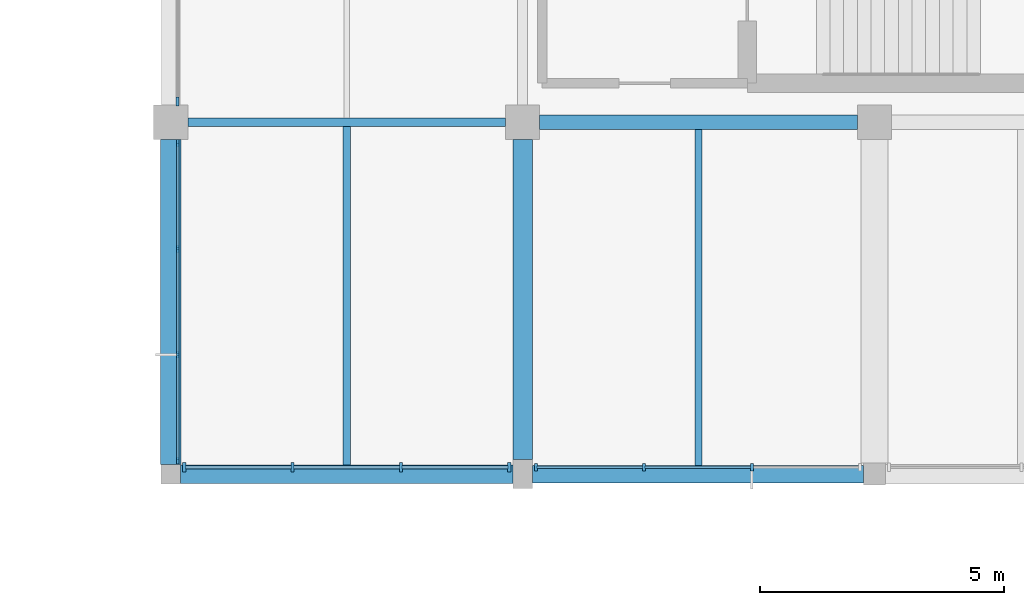
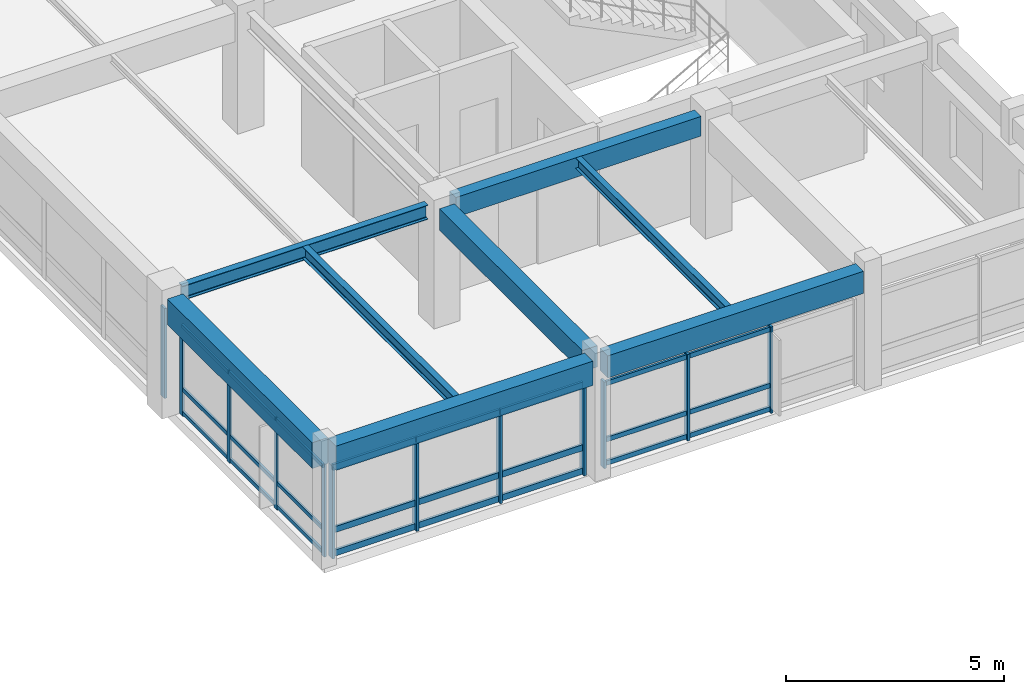
# One storey, part 26 of 52: 36 members, 8 beams, 4 elements without a shape of their own.
"""IFC4 building model written with IfcOpenShell, lengths in metres."""

from ifc_helpers import new_model, si_unit, direction, frame, origin, origin_2d, place, context, subcontext, project, spatial, rectangle, i_section, extrude, material, material_profile, profile_set, type_object, element, aggregate, save


model = new_model("IFC4")

# Units and contexts
model_context = context("Model", 3, precision=1e-05, world=origin(), true_north=direction((0.0, 1.0)))
body_context = subcontext(model_context, "Body", "Model", "MODEL_VIEW")
ifc_project = project(units=[si_unit("LENGTHUNIT", "METRE"), si_unit("AREAUNIT", "SQUARE_METRE"), si_unit("VOLUMEUNIT", "CUBIC_METRE"), si_unit("PLANEANGLEUNIT", "RADIAN"), si_unit("MASSUNIT", "GRAM", prefix="KILO")], contexts=[model_context])

# Site, building, storey
site_placement = place(None, origin())
site = spatial("IfcSite", under=ifc_project, at=site_placement, CompositionType="ELEMENT")
building_placement = place(site_placement, origin())
building = spatial("IfcBuilding", under=site, at=building_placement, Name="Clarverna Civic Hall", CompositionType="ELEMENT")
storey_placement = place(building_placement, frame((0.0, 0.0, 16.800048828125)))
storey = spatial("IfcBuildingStorey", under=building, at=storey_placement, Name="L04", CompositionType="ELEMENT", Elevation=16.800048828125)

# Beams
ifc_material_1 = material(Name="Concrete C35/45", Category="concrete")
ifc_material_profile_1 = material_profile(ifc_material_1, rectangle(XDim=0.300048828125, YDim=0.550048828125, at=origin_2d()), Name="RC 300x550")
ifc_profile_set_1 = profile_set([ifc_material_profile_1], Name="Concrete C35/45")
beam_type_1 = type_object("IfcBeamType", Name="B-RC11", PredefinedType="BEAM", material=ifc_profile_set_1)
beam_1_placement = place(storey_placement, frame((155.14990234375, 78.800048828125, 3.044921875), z_axis=(1.0, 0.0, 0.0), x_axis=(0.0, 1.0, 0.0)))
element("IfcBeam", 1, at=beam_1_placement, inside=storey, type_object=beam_type_1, Name="B-RC11-032", PredefinedType="BEAM", context=body_context, shape_type="SweptSolid", body=[
    extrude(rectangle(XDim=0.300048828125, YDim=0.550048828125, at=origin_2d()), origin(), (0.0, 0.0, 1.0), 6.5),
])
ifc_material_profile_2 = material_profile(ifc_material_1, rectangle(XDim=0.39990234375, YDim=0.60009765625, at=origin_2d()), Name="RC 400x600")
ifc_profile_set_2 = profile_set([ifc_material_profile_2], Name="Concrete C35/45")
beam_type_2 = type_object("IfcBeamType", Name="B-RC7", PredefinedType="BEAM", material=ifc_profile_set_2)
beam_2_placement = place(storey_placement, frame((154.800048828125, 71.89990234375, 3.02001953125), z_axis=(0.0, 1.0, 0.0), x_axis=(-1.0, 0.0, 0.0)))
element("IfcBeam", 2, at=beam_2_placement, inside=storey, type_object=beam_type_2, Name="B-RC7-031", PredefinedType="BEAM", context=body_context, shape_type="SweptSolid", body=[
    extrude(rectangle(XDim=0.39990234375, YDim=0.60009765625, at=origin_2d()), origin(), (0.0, 0.0, 1.0), 6.550048828125),
])
ifc_material_profile_3 = material_profile(ifc_material_1, rectangle(XDim=0.419921875, YDim=0.719970703125, at=origin_2d()), Name="RC 420x720")
ifc_profile_set_3 = profile_set([ifc_material_profile_3], Name="Concrete C35/45")
beam_type_3 = type_object("IfcBeamType", Name="B-SP1", PredefinedType="SPANDREL", material=ifc_profile_set_3)
beam_3_placement = place(storey_placement, frame((147.60009765625, 71.800048828125, 2.9599609375), z_axis=(0.0, 1.0, 0.0), x_axis=(-1.0, 0.0, 0.0)))
element("IfcBeam", 3, at=beam_3_placement, inside=storey, type_object=beam_type_3, Name="B-SP1-141", PredefinedType="SPANDREL", context=body_context, shape_type="SweptSolid", body=[
    extrude(rectangle(XDim=0.419921875, YDim=0.719970703125, at=origin_2d()), origin(), (0.0, 0.0, 1.0), 6.64990234375),
])
ifc_material_profile_4 = material_profile(ifc_material_1, rectangle(XDim=0.3798828125, YDim=0.679931640625, at=origin_2d()), Name="RC 380x680")
ifc_profile_set_4 = profile_set([ifc_material_profile_4], Name="Concrete C35/45")
beam_type_4 = type_object("IfcBeamType", Name="B-SP2", PredefinedType="SPANDREL", material=ifc_profile_set_4)
beam_4_placement = place(storey_placement, frame((147.800048828125, 71.60009765625, 2.97998046875), z_axis=(1.0, 0.0, 0.0), x_axis=(0.0, 1.0, 0.0)))
element("IfcBeam", 4, at=beam_4_placement, inside=storey, type_object=beam_type_4, Name="B-SP2-134", PredefinedType="SPANDREL", context=body_context, shape_type="SweptSolid", body=[
    extrude(rectangle(XDim=0.3798828125, YDim=0.679931640625, at=origin_2d()), origin(), (0.0, 0.0, 1.0), 6.800048828125),
])
ifc_material_profile_5 = material_profile(ifc_material_1, rectangle(XDim=0.360107421875, YDim=0.6201171875, at=origin_2d()), Name="RC 360x620")
ifc_profile_set_5 = profile_set([ifc_material_profile_5], Name="Concrete C35/45")
beam_type_5 = type_object("IfcBeamType", Name="B-SP3", PredefinedType="SPANDREL", material=ifc_profile_set_5)
beam_5_placement = place(storey_placement, frame((155.0, 71.60009765625, 3.010009765625), z_axis=(1.0, 0.0, 0.0), x_axis=(0.0, 1.0, 0.0)))
element("IfcBeam", 5, at=beam_5_placement, inside=storey, type_object=beam_type_5, Name="B-SP3-132", PredefinedType="SPANDREL", context=body_context, shape_type="SweptSolid", body=[
    extrude(rectangle(XDim=0.360107421875, YDim=0.6201171875, at=origin_2d()), origin(), (0.0, 0.0, 1.0), 6.77490234375),
])
ifc_material_2 = material(Name="Steel S355", Category="steel")
ifc_material_profile_6 = material_profile(ifc_material_2, i_section(OverallWidth=0.179931640625, OverallDepth=0.39990234375, WebThickness=0.008544921875, FlangeThickness=0.013427734375, FilletRadius=0.02099609375, at=origin_2d()), Name="IPE 400")
ifc_profile_set_6 = profile_set([ifc_material_profile_6], Name="Steel S355")
beam_type_6 = type_object("IfcBeamType", Name="B-ST14", PredefinedType="BEAM", material=ifc_profile_set_6)
beam_6_placement = place(storey_placement, frame((147.949951171875, 78.800048828125, 3.119873046875), z_axis=(1.0, 0.0, 0.0), x_axis=(0.0, 1.0, 0.0)))
element("IfcBeam", 6, at=beam_6_placement, inside=storey, type_object=beam_type_6, Name="B-ST14-020", PredefinedType="BEAM", context=body_context, shape_type="SweptSolid", body=[
    extrude(i_section(OverallWidth=0.179931640625, OverallDepth=0.39990234375, WebThickness=0.008544921875, FlangeThickness=0.013427734375, FilletRadius=0.02099609375, at=origin_2d()), origin(), (0.0, 0.0, 1.0), 6.5),
])

# Curtain wall, member
ifc_material_3 = material(Name="Anodised Bronze Architectural Aluminium", Category="aluminium")
curtain_wall_type = type_object("IfcCurtainWallType", Name="CW-01", PredefinedType="USERDEFINED", material=ifc_material_3)
curtain_wall_1_placement = place(storey_placement, origin())
curtain_wall_1 = element("IfcCurtainWall", 7, at=curtain_wall_1_placement, inside=storey, type_object=curtain_wall_type, Name="CW-01-095", ObjectType="UNITISED CURTAIN WALL", PredefinedType="USERDEFINED")
ifc_material_profile_7 = material_profile(ifc_material_3, rectangle(XDim=0.06005859375, YDim=0.179931640625, at=origin_2d()), Name="BRONZE 60x180")
ifc_profile_set_7 = profile_set([ifc_material_profile_7], Name="Anodised Bronze Architectural Aluminium")
member_type_1 = type_object("IfcMemberType", Name="CWM-01", PredefinedType="MULLION", material=ifc_profile_set_7)
member_1_placement = place(storey_placement, frame((147.739990234375, 79.222900390625, 0.0), z_axis=(0.0, 0.0, 1.0), x_axis=(1.0, 0.0, 0.0)))
member_1 = element("IfcMember", 8, at=member_1_placement, type_object=member_type_1, Name="CWM-01-170", PredefinedType="MULLION", context=body_context, shape_type="SweptSolid", body=[
    extrude(rectangle(XDim=0.06005859375, YDim=0.179931640625, at=origin_2d()), origin(), (0.0, 0.0, 1.0), 2.52001953125),
])
aggregate(curtain_wall_1, [member_1])

# Curtain wall, members
curtain_wall_2_placement = place(storey_placement, origin())
curtain_wall_2 = element("IfcCurtainWall", 9, at=curtain_wall_2_placement, inside=storey, type_object=curtain_wall_type, Name="CW-01-092", ObjectType="UNITISED CURTAIN WALL", PredefinedType="USERDEFINED")
ifc_material_profile_8 = material_profile(ifc_material_3, rectangle(XDim=0.06005859375, YDim=0.159912109375, at=origin_2d()), Name="BRONZE 60x160")
ifc_profile_set_8 = profile_set([ifc_material_profile_8], Name="Anodised Bronze Architectural Aluminium")
member_type_2 = type_object("IfcMemberType", Name="CWM-02", PredefinedType="MULLION", material=ifc_profile_set_8)
member_2_placement = place(storey_placement, frame((159.4921875, 71.739990234375, 0.0), z_axis=(0.0, 0.0, 1.0), x_axis=(1.0, 0.0, 0.0)))
member_2 = element("IfcMember", 10, at=member_2_placement, type_object=member_type_2, Name="CWM-02-196", PredefinedType="MULLION", context=body_context, shape_type="SweptSolid", body=[
    extrude(rectangle(XDim=0.06005859375, YDim=0.159912109375, at=origin_2d()), origin(), (0.0, 0.0, 1.0), 2.419921875),
])
member_3_placement = place(storey_placement, frame((157.28271484375, 71.739990234375, 0.0), z_axis=(0.0, 0.0, 1.0), x_axis=(1.0, 0.0, 0.0)))
member_3 = element("IfcMember", 11, at=member_3_placement, type_object=member_type_2, Name="CWM-02-197", PredefinedType="MULLION", context=body_context, shape_type="SweptSolid", body=[
    extrude(rectangle(XDim=0.06005859375, YDim=0.159912109375, at=origin_2d()), origin(), (0.0, 0.0, 1.0), 2.419921875),
])
member_4_placement = place(storey_placement, frame((155.072998046875, 71.739990234375, 0.0), z_axis=(0.0, 0.0, 1.0), x_axis=(1.0, 0.0, 0.0)))
member_4 = element("IfcMember", 12, at=member_4_placement, type_object=member_type_2, Name="CWM-02-198", PredefinedType="MULLION", context=body_context, shape_type="SweptSolid", body=[
    extrude(rectangle(XDim=0.06005859375, YDim=0.159912109375, at=origin_2d()), origin(), (0.0, 0.0, 1.0), 2.419921875),
])

curtain_wall_3_placement = place(storey_placement, origin())
curtain_wall_3 = element("IfcCurtainWall", 13, at=curtain_wall_3_placement, inside=storey, type_object=curtain_wall_type, Name="CW-01-093", ObjectType="UNITISED CURTAIN WALL", PredefinedType="USERDEFINED")
ifc_material_profile_9 = material_profile(ifc_material_3, rectangle(XDim=0.06494140625, YDim=0.199951171875, at=origin_2d()), Name="BRONZE 65x200")
ifc_profile_set_9 = profile_set([ifc_material_profile_9], Name="Anodised Bronze Architectural Aluminium")
member_type_3 = type_object("IfcMemberType", Name="CWM-03", PredefinedType="MULLION", material=ifc_profile_set_9)
member_5_placement = place(storey_placement, frame((154.527099609375, 71.739990234375, 0.0), z_axis=(0.0, 0.0, 1.0), x_axis=(1.0, 0.0, 0.0)))
member_5 = element("IfcMember", 14, at=member_5_placement, type_object=member_type_3, Name="CWM-03-172", PredefinedType="MULLION", context=body_context, shape_type="SweptSolid", body=[
    extrude(rectangle(XDim=0.06494140625, YDim=0.199951171875, at=origin_2d()), origin(), (0.0, 0.0, 1.0), 2.599853515625),
])
member_6_placement = place(storey_placement, frame((152.30908203125, 71.739990234375, 0.0), z_axis=(0.0, 0.0, 1.0), x_axis=(1.0, 0.0, 0.0)))
member_6 = element("IfcMember", 15, at=member_6_placement, type_object=member_type_3, Name="CWM-03-173", PredefinedType="MULLION", context=body_context, shape_type="SweptSolid", body=[
    extrude(rectangle(XDim=0.06494140625, YDim=0.199951171875, at=origin_2d()), origin(), (0.0, 0.0, 1.0), 2.599853515625),
])
member_7_placement = place(storey_placement, frame((150.091064453125, 71.739990234375, 0.0), z_axis=(0.0, 0.0, 1.0), x_axis=(1.0, 0.0, 0.0)))
member_7 = element("IfcMember", 16, at=member_7_placement, type_object=member_type_3, Name="CWM-03-174", PredefinedType="MULLION", context=body_context, shape_type="SweptSolid", body=[
    extrude(rectangle(XDim=0.06494140625, YDim=0.199951171875, at=origin_2d()), origin(), (0.0, 0.0, 1.0), 2.599853515625),
])
member_8_placement = place(storey_placement, frame((147.873046875, 71.739990234375, 0.0), z_axis=(0.0, 0.0, 1.0), x_axis=(1.0, 0.0, 0.0)))
member_8 = element("IfcMember", 17, at=member_8_placement, type_object=member_type_3, Name="CWM-03-175", PredefinedType="MULLION", context=body_context, shape_type="SweptSolid", body=[
    extrude(rectangle(XDim=0.06494140625, YDim=0.199951171875, at=origin_2d()), origin(), (0.0, 0.0, 1.0), 2.599853515625),
])

curtain_wall_4_placement = place(storey_placement, origin())
curtain_wall_4 = element("IfcCurtainWall", 18, at=curtain_wall_4_placement, inside=storey, type_object=curtain_wall_type, Name="CW-01-094", ObjectType="UNITISED CURTAIN WALL", PredefinedType="USERDEFINED")
ifc_material_profile_10 = material_profile(ifc_material_3, rectangle(XDim=0.054931640625, YDim=0.139892578125, at=origin_2d()), Name="BRONZE 55x140")
ifc_profile_set_10 = profile_set([ifc_material_profile_10], Name="Anodised Bronze Architectural Aluminium")
member_type_4 = type_object("IfcMemberType", Name="CWM-04", PredefinedType="MULLION", material=ifc_profile_set_10)
member_9_placement = place(storey_placement, frame((147.739990234375, 71.873046875, 0.0), z_axis=(0.0, 0.0, 1.0), x_axis=(1.0, 0.0, 0.0)))
member_9 = element("IfcMember", 19, at=member_9_placement, type_object=member_type_4, Name="CWM-04-195", PredefinedType="MULLION", context=body_context, shape_type="SweptSolid", body=[
    extrude(rectangle(XDim=0.054931640625, YDim=0.139892578125, at=origin_2d()), origin(), (0.0, 0.0, 1.0), 2.599853515625),
])
member_10_placement = place(storey_placement, frame((147.739990234375, 74.041015625, 0.0), z_axis=(0.0, 0.0, 1.0), x_axis=(1.0, 0.0, 0.0)))
member_10 = element("IfcMember", 20, at=member_10_placement, type_object=member_type_4, Name="CWM-04-196", PredefinedType="MULLION", context=body_context, shape_type="SweptSolid", body=[
    extrude(rectangle(XDim=0.054931640625, YDim=0.139892578125, at=origin_2d()), origin(), (0.0, 0.0, 1.0), 2.599853515625),
])
member_11_placement = place(storey_placement, frame((147.739990234375, 76.208984375, 0.0), z_axis=(0.0, 0.0, 1.0), x_axis=(1.0, 0.0, 0.0)))
member_11 = element("IfcMember", 21, at=member_11_placement, type_object=member_type_4, Name="CWM-04-197", PredefinedType="MULLION", context=body_context, shape_type="SweptSolid", body=[
    extrude(rectangle(XDim=0.054931640625, YDim=0.139892578125, at=origin_2d()), origin(), (0.0, 0.0, 1.0), 2.599853515625),
])
member_12_placement = place(storey_placement, frame((147.739990234375, 78.376953125, 0.0), z_axis=(0.0, 0.0, 1.0), x_axis=(1.0, 0.0, 0.0)))
member_12 = element("IfcMember", 22, at=member_12_placement, type_object=member_type_4, Name="CWM-04-198", PredefinedType="MULLION", context=body_context, shape_type="SweptSolid", body=[
    extrude(rectangle(XDim=0.054931640625, YDim=0.139892578125, at=origin_2d()), origin(), (0.0, 0.0, 1.0), 2.599853515625),
])

# Member
ifc_material_profile_11 = material_profile(ifc_material_3, rectangle(XDim=0.06005859375, YDim=0.1298828125, at=origin_2d()), Name="BRONZE 60x130")
ifc_profile_set_11 = profile_set([ifc_material_profile_11], Name="Anodised Bronze Architectural Aluminium")
member_type_5 = type_object("IfcMemberType", Name="CWT-02", PredefinedType="USERDEFINED", material=ifc_profile_set_11)
member_13_placement = place(storey_placement, frame((159.477294921875, 71.739990234375, 0.094970703125), z_axis=(-1.0, 0.0, 0.0), x_axis=(0.0, -1.0, 0.0)))
member_13 = element("IfcMember", 23, at=member_13_placement, type_object=member_type_5, Name="CWT-02-415", ObjectType="TRANSOM", PredefinedType="USERDEFINED", context=body_context, shape_type="SweptSolid", body=[
    extrude(rectangle(XDim=0.06005859375, YDim=0.1298828125, at=origin_2d()), origin(), (0.0, 0.0, 1.0), 2.1796875),
])

member_14_placement = place(storey_placement, frame((159.477294921875, 71.739990234375, 0.75), z_axis=(-1.0, 0.0, 0.0), x_axis=(0.0, -1.0, 0.0)))
member_14 = element("IfcMember", 24, at=member_14_placement, type_object=member_type_5, Name="CWT-02-416", ObjectType="TRANSOM", PredefinedType="USERDEFINED", context=body_context, shape_type="SweptSolid", body=[
    extrude(rectangle(XDim=0.06005859375, YDim=0.1298828125, at=origin_2d()), origin(), (0.0, 0.0, 1.0), 2.1796875),
])

member_15_placement = place(storey_placement, frame((159.477294921875, 71.739990234375, 2.324951171875), z_axis=(-1.0, 0.0, 0.0), x_axis=(0.0, -1.0, 0.0)))
member_15 = element("IfcMember", 25, at=member_15_placement, type_object=member_type_5, Name="CWT-02-417", ObjectType="TRANSOM", PredefinedType="USERDEFINED", context=body_context, shape_type="SweptSolid", body=[
    extrude(rectangle(XDim=0.06005859375, YDim=0.1298828125, at=origin_2d()), origin(), (0.0, 0.0, 1.0), 2.1796875),
])

member_16_placement = place(storey_placement, frame((157.267578125, 71.739990234375, 0.094970703125), z_axis=(-1.0, 0.0, 0.0), x_axis=(0.0, -1.0, 0.0)))
member_16 = element("IfcMember", 26, at=member_16_placement, type_object=member_type_5, Name="CWT-02-418", ObjectType="TRANSOM", PredefinedType="USERDEFINED", context=body_context, shape_type="SweptSolid", body=[
    extrude(rectangle(XDim=0.06005859375, YDim=0.1298828125, at=origin_2d()), origin(), (0.0, 0.0, 1.0), 2.1796875),
])

member_17_placement = place(storey_placement, frame((157.267578125, 71.739990234375, 0.75), z_axis=(-1.0, 0.0, 0.0), x_axis=(0.0, -1.0, 0.0)))
member_17 = element("IfcMember", 27, at=member_17_placement, type_object=member_type_5, Name="CWT-02-419", ObjectType="TRANSOM", PredefinedType="USERDEFINED", context=body_context, shape_type="SweptSolid", body=[
    extrude(rectangle(XDim=0.06005859375, YDim=0.1298828125, at=origin_2d()), origin(), (0.0, 0.0, 1.0), 2.1796875),
])

member_18_placement = place(storey_placement, frame((157.267578125, 71.739990234375, 2.324951171875), z_axis=(-1.0, 0.0, 0.0), x_axis=(0.0, -1.0, 0.0)))
member_18 = element("IfcMember", 28, at=member_18_placement, type_object=member_type_5, Name="CWT-02-420", ObjectType="TRANSOM", PredefinedType="USERDEFINED", context=body_context, shape_type="SweptSolid", body=[
    extrude(rectangle(XDim=0.06005859375, YDim=0.1298828125, at=origin_2d()), origin(), (0.0, 0.0, 1.0), 2.1796875),
])

aggregate(curtain_wall_2, [member_2, member_3, member_4, member_13, member_14, member_15, member_16, member_17, member_18])

ifc_material_profile_12 = material_profile(ifc_material_3, rectangle(XDim=0.06494140625, YDim=0.169921875, at=origin_2d()), Name="BRONZE 65x170")
ifc_profile_set_12 = profile_set([ifc_material_profile_12], Name="Anodised Bronze Architectural Aluminium")
member_type_6 = type_object("IfcMemberType", Name="CWT-03", PredefinedType="USERDEFINED", material=ifc_profile_set_12)
member_19_placement = place(storey_placement, frame((154.511962890625, 71.739990234375, 0.094970703125), z_axis=(-1.0, 0.0, 0.0), x_axis=(0.0, -1.0, 0.0)))
member_19 = element("IfcMember", 29, at=member_19_placement, type_object=member_type_6, Name="CWT-03-364", ObjectType="TRANSOM", PredefinedType="USERDEFINED", context=body_context, shape_type="SweptSolid", body=[
    extrude(rectangle(XDim=0.06494140625, YDim=0.169921875, at=origin_2d()), origin(), (0.0, 0.0, 1.0), 2.18798828125),
])

member_20_placement = place(storey_placement, frame((154.511962890625, 71.739990234375, 0.75), z_axis=(-1.0, 0.0, 0.0), x_axis=(0.0, -1.0, 0.0)))
member_20 = element("IfcMember", 30, at=member_20_placement, type_object=member_type_6, Name="CWT-03-365", ObjectType="TRANSOM", PredefinedType="USERDEFINED", context=body_context, shape_type="SweptSolid", body=[
    extrude(rectangle(XDim=0.06494140625, YDim=0.169921875, at=origin_2d()), origin(), (0.0, 0.0, 1.0), 2.18798828125),
])

member_21_placement = place(storey_placement, frame((154.511962890625, 71.739990234375, 2.5048828125), z_axis=(-1.0, 0.0, 0.0), x_axis=(0.0, -1.0, 0.0)))
member_21 = element("IfcMember", 31, at=member_21_placement, type_object=member_type_6, Name="CWT-03-366", ObjectType="TRANSOM", PredefinedType="USERDEFINED", context=body_context, shape_type="SweptSolid", body=[
    extrude(rectangle(XDim=0.06494140625, YDim=0.169921875, at=origin_2d()), origin(), (0.0, 0.0, 1.0), 2.18798828125),
])

member_22_placement = place(storey_placement, frame((152.2939453125, 71.739990234375, 0.094970703125), z_axis=(-1.0, 0.0, 0.0), x_axis=(0.0, -1.0, 0.0)))
member_22 = element("IfcMember", 32, at=member_22_placement, type_object=member_type_6, Name="CWT-03-367", ObjectType="TRANSOM", PredefinedType="USERDEFINED", context=body_context, shape_type="SweptSolid", body=[
    extrude(rectangle(XDim=0.06494140625, YDim=0.169921875, at=origin_2d()), origin(), (0.0, 0.0, 1.0), 2.18798828125),
])

member_23_placement = place(storey_placement, frame((152.2939453125, 71.739990234375, 0.75), z_axis=(-1.0, 0.0, 0.0), x_axis=(0.0, -1.0, 0.0)))
member_23 = element("IfcMember", 33, at=member_23_placement, type_object=member_type_6, Name="CWT-03-368", ObjectType="TRANSOM", PredefinedType="USERDEFINED", context=body_context, shape_type="SweptSolid", body=[
    extrude(rectangle(XDim=0.06494140625, YDim=0.169921875, at=origin_2d()), origin(), (0.0, 0.0, 1.0), 2.18798828125),
])

member_24_placement = place(storey_placement, frame((152.2939453125, 71.739990234375, 2.5048828125), z_axis=(-1.0, 0.0, 0.0), x_axis=(0.0, -1.0, 0.0)))
member_24 = element("IfcMember", 34, at=member_24_placement, type_object=member_type_6, Name="CWT-03-369", ObjectType="TRANSOM", PredefinedType="USERDEFINED", context=body_context, shape_type="SweptSolid", body=[
    extrude(rectangle(XDim=0.06494140625, YDim=0.169921875, at=origin_2d()), origin(), (0.0, 0.0, 1.0), 2.18798828125),
])

member_25_placement = place(storey_placement, frame((150.075927734375, 71.739990234375, 0.094970703125), z_axis=(-1.0, 0.0, 0.0), x_axis=(0.0, -1.0, 0.0)))
member_25 = element("IfcMember", 35, at=member_25_placement, type_object=member_type_6, Name="CWT-03-370", ObjectType="TRANSOM", PredefinedType="USERDEFINED", context=body_context, shape_type="SweptSolid", body=[
    extrude(rectangle(XDim=0.06494140625, YDim=0.169921875, at=origin_2d()), origin(), (0.0, 0.0, 1.0), 2.18798828125),
])

member_26_placement = place(storey_placement, frame((150.075927734375, 71.739990234375, 0.75), z_axis=(-1.0, 0.0, 0.0), x_axis=(0.0, -1.0, 0.0)))
member_26 = element("IfcMember", 36, at=member_26_placement, type_object=member_type_6, Name="CWT-03-371", ObjectType="TRANSOM", PredefinedType="USERDEFINED", context=body_context, shape_type="SweptSolid", body=[
    extrude(rectangle(XDim=0.06494140625, YDim=0.169921875, at=origin_2d()), origin(), (0.0, 0.0, 1.0), 2.18798828125),
])

member_27_placement = place(storey_placement, frame((150.075927734375, 71.739990234375, 2.5048828125), z_axis=(-1.0, 0.0, 0.0), x_axis=(0.0, -1.0, 0.0)))
member_27 = element("IfcMember", 37, at=member_27_placement, type_object=member_type_6, Name="CWT-03-372", ObjectType="TRANSOM", PredefinedType="USERDEFINED", context=body_context, shape_type="SweptSolid", body=[
    extrude(rectangle(XDim=0.06494140625, YDim=0.169921875, at=origin_2d()), origin(), (0.0, 0.0, 1.0), 2.18798828125),
])

aggregate(curtain_wall_3, [member_5, member_6, member_7, member_8, member_19, member_20, member_21, member_22, member_23, member_24, member_25, member_26, member_27])

ifc_material_profile_13 = material_profile(ifc_material_3, rectangle(XDim=0.054931640625, YDim=0.110107421875, at=origin_2d()), Name="BRONZE 55x110")
ifc_profile_set_13 = profile_set([ifc_material_profile_13], Name="Anodised Bronze Architectural Aluminium")
member_type_7 = type_object("IfcMemberType", Name="CWT-04", PredefinedType="USERDEFINED", material=ifc_profile_set_13)
member_28_placement = place(storey_placement, frame((147.739990234375, 71.887939453125, 0.094970703125), z_axis=(0.0, 1.0, 0.0), x_axis=(-1.0, 0.0, 0.0)))
member_28 = element("IfcMember", 38, at=member_28_placement, type_object=member_type_7, Name="CWT-04-412", ObjectType="TRANSOM", PredefinedType="USERDEFINED", context=body_context, shape_type="SweptSolid", body=[
    extrude(rectangle(XDim=0.054931640625, YDim=0.110107421875, at=origin_2d()), origin(), (0.0, 0.0, 1.0), 2.137939453125),
])

member_29_placement = place(storey_placement, frame((147.739990234375, 71.887939453125, 0.75), z_axis=(0.0, 1.0, 0.0), x_axis=(-1.0, 0.0, 0.0)))
member_29 = element("IfcMember", 39, at=member_29_placement, type_object=member_type_7, Name="CWT-04-413", ObjectType="TRANSOM", PredefinedType="USERDEFINED", context=body_context, shape_type="SweptSolid", body=[
    extrude(rectangle(XDim=0.054931640625, YDim=0.110107421875, at=origin_2d()), origin(), (0.0, 0.0, 1.0), 2.137939453125),
])

member_30_placement = place(storey_placement, frame((147.739990234375, 71.887939453125, 2.5048828125), z_axis=(0.0, 1.0, 0.0), x_axis=(-1.0, 0.0, 0.0)))
member_30 = element("IfcMember", 40, at=member_30_placement, type_object=member_type_7, Name="CWT-04-414", ObjectType="TRANSOM", PredefinedType="USERDEFINED", context=body_context, shape_type="SweptSolid", body=[
    extrude(rectangle(XDim=0.054931640625, YDim=0.110107421875, at=origin_2d()), origin(), (0.0, 0.0, 1.0), 2.137939453125),
])

member_31_placement = place(storey_placement, frame((147.739990234375, 74.055908203125, 0.094970703125), z_axis=(0.0, 1.0, 0.0), x_axis=(-1.0, 0.0, 0.0)))
member_31 = element("IfcMember", 41, at=member_31_placement, type_object=member_type_7, Name="CWT-04-415", ObjectType="TRANSOM", PredefinedType="USERDEFINED", context=body_context, shape_type="SweptSolid", body=[
    extrude(rectangle(XDim=0.054931640625, YDim=0.110107421875, at=origin_2d()), origin(), (0.0, 0.0, 1.0), 2.13818359375),
])

member_32_placement = place(storey_placement, frame((147.739990234375, 74.055908203125, 0.75), z_axis=(0.0, 1.0, 0.0), x_axis=(-1.0, 0.0, 0.0)))
member_32 = element("IfcMember", 42, at=member_32_placement, type_object=member_type_7, Name="CWT-04-416", ObjectType="TRANSOM", PredefinedType="USERDEFINED", context=body_context, shape_type="SweptSolid", body=[
    extrude(rectangle(XDim=0.054931640625, YDim=0.110107421875, at=origin_2d()), origin(), (0.0, 0.0, 1.0), 2.13818359375),
])

member_33_placement = place(storey_placement, frame((147.739990234375, 74.055908203125, 2.5048828125), z_axis=(0.0, 1.0, 0.0), x_axis=(-1.0, 0.0, 0.0)))
member_33 = element("IfcMember", 43, at=member_33_placement, type_object=member_type_7, Name="CWT-04-417", ObjectType="TRANSOM", PredefinedType="USERDEFINED", context=body_context, shape_type="SweptSolid", body=[
    extrude(rectangle(XDim=0.054931640625, YDim=0.110107421875, at=origin_2d()), origin(), (0.0, 0.0, 1.0), 2.13818359375),
])

member_34_placement = place(storey_placement, frame((147.739990234375, 76.22412109375, 0.094970703125), z_axis=(0.0, 1.0, 0.0), x_axis=(-1.0, 0.0, 0.0)))
member_34 = element("IfcMember", 44, at=member_34_placement, type_object=member_type_7, Name="CWT-04-418", ObjectType="TRANSOM", PredefinedType="USERDEFINED", context=body_context, shape_type="SweptSolid", body=[
    extrude(rectangle(XDim=0.054931640625, YDim=0.110107421875, at=origin_2d()), origin(), (0.0, 0.0, 1.0), 2.137939453125),
])

member_35_placement = place(storey_placement, frame((147.739990234375, 76.22412109375, 0.75), z_axis=(0.0, 1.0, 0.0), x_axis=(-1.0, 0.0, 0.0)))
member_35 = element("IfcMember", 45, at=member_35_placement, type_object=member_type_7, Name="CWT-04-419", ObjectType="TRANSOM", PredefinedType="USERDEFINED", context=body_context, shape_type="SweptSolid", body=[
    extrude(rectangle(XDim=0.054931640625, YDim=0.110107421875, at=origin_2d()), origin(), (0.0, 0.0, 1.0), 2.137939453125),
])

member_36_placement = place(storey_placement, frame((147.739990234375, 76.22412109375, 2.5048828125), z_axis=(0.0, 1.0, 0.0), x_axis=(-1.0, 0.0, 0.0)))
member_36 = element("IfcMember", 46, at=member_36_placement, type_object=member_type_7, Name="CWT-04-420", ObjectType="TRANSOM", PredefinedType="USERDEFINED", context=body_context, shape_type="SweptSolid", body=[
    extrude(rectangle(XDim=0.054931640625, YDim=0.110107421875, at=origin_2d()), origin(), (0.0, 0.0, 1.0), 2.137939453125),
])

aggregate(curtain_wall_4, [member_9, member_10, member_11, member_12, member_28, member_29, member_30, member_31, member_32, member_33, member_34, member_35, member_36])

# Beams
ifc_material_profile_14 = material_profile(ifc_material_2, i_section(OverallWidth=0.159912109375, OverallDepth=0.330078125, WebThickness=0.007568359375, FlangeThickness=0.011474609375, FilletRadius=0.01806640625, at=origin_2d()), Name="IPE 330")
ifc_profile_set_14 = profile_set([ifc_material_profile_14], Name="Steel S355")
beam_type_7 = type_object("IfcBeamType", Name="J-ST2", PredefinedType="JOIST", material=ifc_profile_set_14)
beam_7_placement = place(storey_placement, frame((151.199951171875, 71.7900390625, 3.155029296875), z_axis=(0.0, 1.0, 0.0), x_axis=(-1.0, 0.0, 0.0)))
element("IfcBeam", 47, at=beam_7_placement, inside=storey, type_object=beam_type_7, Name="J-ST2-068", PredefinedType="JOIST", context=body_context, shape_type="SweptSolid", body=[
    extrude(i_section(OverallWidth=0.159912109375, OverallDepth=0.330078125, WebThickness=0.007568359375, FlangeThickness=0.011474609375, FilletRadius=0.01806640625, at=origin_2d()), origin(), (0.0, 0.0, 1.0), 6.919921875),
])
ifc_material_profile_15 = material_profile(ifc_material_2, i_section(OverallWidth=0.14990234375, OverallDepth=0.300048828125, WebThickness=0.007080078125, FlangeThickness=0.0107421875, FilletRadius=0.014892578125, at=origin_2d()), Name="IPE 300")
ifc_profile_set_15 = profile_set([ifc_material_profile_15], Name="Steel S355")
beam_type_8 = type_object("IfcBeamType", Name="J-ST3", PredefinedType="JOIST", material=ifc_profile_set_15)
beam_8_placement = place(storey_placement, frame((158.39990234375, 71.780029296875, 3.169921875), z_axis=(0.0, 1.0, 0.0), x_axis=(-1.0, 0.0, 0.0)))
element("IfcBeam", 48, at=beam_8_placement, inside=storey, type_object=beam_type_8, Name="J-ST3-068", PredefinedType="JOIST", context=body_context, shape_type="SweptSolid", body=[
    extrude(i_section(OverallWidth=0.14990234375, OverallDepth=0.300048828125, WebThickness=0.007080078125, FlangeThickness=0.0107421875, FilletRadius=0.014892578125, at=origin_2d()), origin(), (0.0, 0.0, 1.0), 6.869873046875),
])

save(model, "model.ifc")
